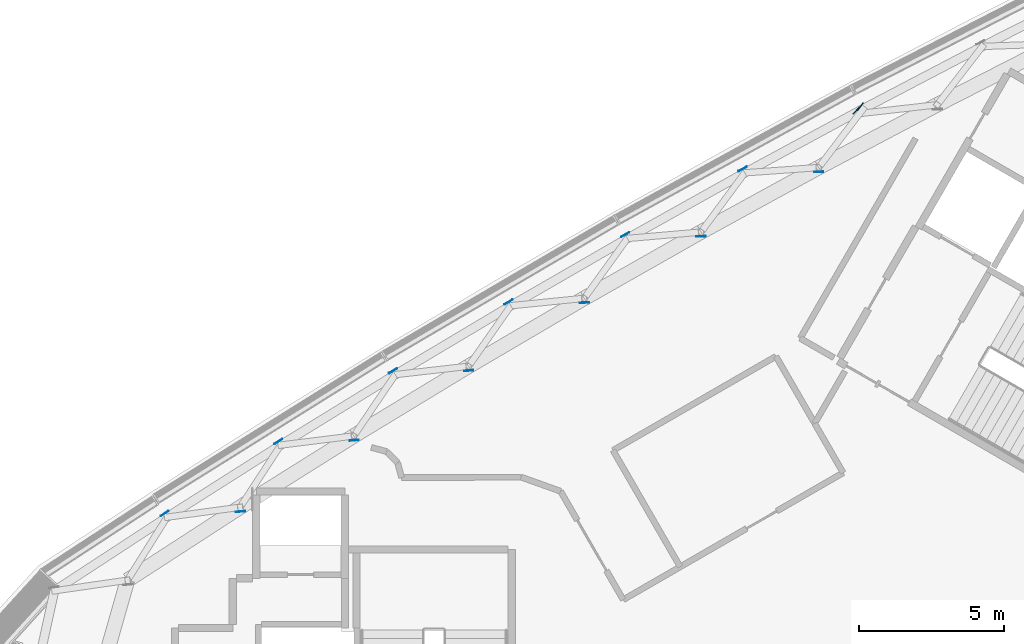
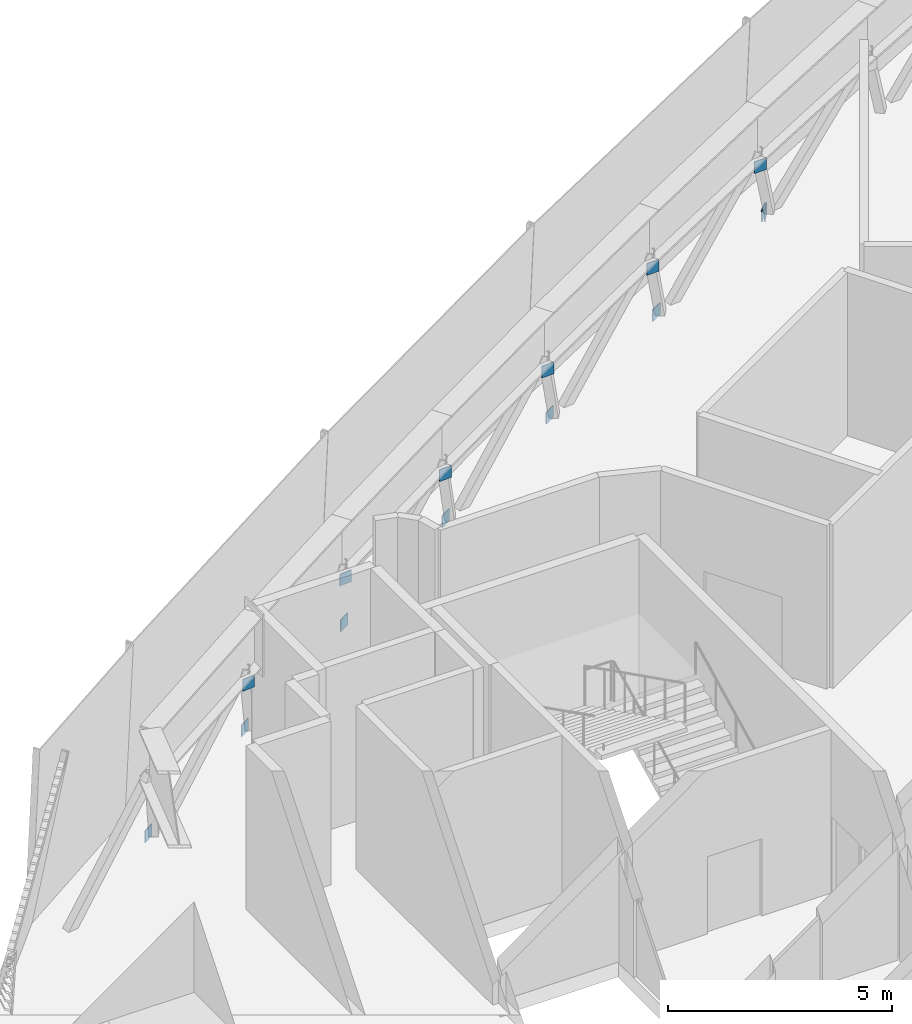
# One storey, part 9 of 18: 14 plates.
"""IFC4 building model written with IfcOpenShell, lengths in metres."""

from ifc_helpers import new_model, si_unit, direction, frame, origin, origin_2d, place, context, subcontext, project, spatial, rectangle, extrude, material, layer, layer_set, type_object, element, save


model = new_model("IFC4")

# Units and contexts
model_context = context("Model", 3, precision=1e-05, world=origin(), true_north=direction((0.0, 1.0)))
body_context = subcontext(model_context, "Body", "Model", "MODEL_VIEW")
ifc_project = project(units=[si_unit("LENGTHUNIT", "METRE"), si_unit("AREAUNIT", "SQUARE_METRE"), si_unit("VOLUMEUNIT", "CUBIC_METRE"), si_unit("PLANEANGLEUNIT", "RADIAN"), si_unit("MASSUNIT", "GRAM", prefix="KILO")], contexts=[model_context])

# Site, building, storey
site_placement = place(None, origin())
site = spatial("IfcSite", under=ifc_project, at=site_placement, CompositionType="ELEMENT")
building_placement = place(site_placement, origin())
building = spatial("IfcBuilding", under=site, at=building_placement, Name="Tamra Quay Hotel Tower", CompositionType="ELEMENT")
storey_placement = place(building_placement, frame((0.0, 0.0, 211.60009765625)))
storey = spatial("IfcBuildingStorey", under=building, at=storey_placement, Name="L53", CompositionType="ELEMENT", Elevation=211.60009765625)

# Plates
ifc_material = material(Name="Structural steel IS 2062 E350", Category="steel")
ifc_layer = layer(ifc_material, 0.02490234375)
ifc_layer_set = layer_set([ifc_layer], Name="BRACE END PLATE 25")
plate_type = type_object("IfcPlateType", Name="BRACE END PLATE 25", PredefinedType="SHEET", material=ifc_layer_set)
for number, where, z_axis, x_axis, name in (
    (1, (1.181640625, 21.042236328125, -0.39990234375), (0.0, 0.0, 1.0), (-0.796834776571, 0.604197268155, 0.0), "BEP-L53-013"),
    (2, (-2.872314453125, 18.89306640625, -0.39990234375), (0.0, 0.0, 1.0), (-0.481490588085, 0.876451261386, 0.0), "BEP-L53-014"),
    (3, (-6.922119140625, 16.62939453125, -0.39990234375), (0.0, 0.0, 1.0), (-0.493831081065, 0.869557855105, 0.0), "BEP-L53-015"),
    (4, (-10.940185546875, 14.309326171875, -0.39990234375), (0.0, 0.0, 1.0), (-0.506128599393, 0.862458022675, 0.0), "BEP-L53-016"),
    (5, (-14.925537109375, 11.93408203125, -0.39990234375), (0.0, 0.0, 1.0), (-0.518286748735, 0.855206902501, 0.0), "BEP-L53-017"),
    (6, (-18.87841796875, 9.50341796875, -0.39990234375), (0.0, 0.0, 1.0), (-0.530370626691, 0.847765886518, 0.0), "BEP-L53-018"),
    (7, (-22.79638671875, 7.0185546875, -0.39990234375), (0.0, 0.0, 1.0), (-0.54224651215, 0.840219447562, 0.0), "BEP-L53-019"),
    (8, (-0.25244140625, 18.791748046875, 2.72998046875), (0.0, 0.0, 1.0), (-0.025370874084, 0.999678107567, 0.0), "BEP-L53-042"),
    (9, (-4.306396484375, 16.56787109375, 2.72998046875), (0.0, 0.0, 1.0), (-0.038818584078, 0.999246274714, 0.0), "BEP-L53-043"),
    (10, (-8.326904296875, 14.284912109375, 2.72998046875), (0.0, 0.0, 1.0), (-0.0523481568, 0.998628895276, 0.0), "BEP-L53-044"),
    (11, (-12.31298828125, 11.943115234375, 2.72998046875), (0.0, 0.0, 1.0), (-0.065821105648, 0.997831439699, 0.0), "BEP-L53-045"),
    (12, (-16.264892578125, 9.54248046875, 2.72998046875), (0.0, 0.0, 1.0), (-0.079222910227, 0.99685692579, 0.0), "BEP-L53-046"),
    (13, (-20.180908203125, 7.084716796875, 2.72998046875), (0.0, 0.0, 1.0), (-0.092718155301, 0.995692394105, 0.0), "BEP-L53-047"),
    (14, (1.04248046875, 20.90576171875, -0.27880859375), (0.0, 0.0, 1.0), (-0.738999994752, 0.673705430999, 0.0), "BEP-L53-059"),
):
    element("IfcPlate", number, at=place(storey_placement, frame(where, z_axis=z_axis, x_axis=x_axis)), inside=storey, type_object=plate_type, Name=name, PredefinedType="SHEET", context=body_context, shape_type="SweptSolid", body=[
        extrude(rectangle(XDim=0.02490234375, YDim=0.320068359375, at=origin_2d()), origin(), (0.0, 0.0, 1.0), 0.320068359375),
    ])

save(model, "model.ifc")
